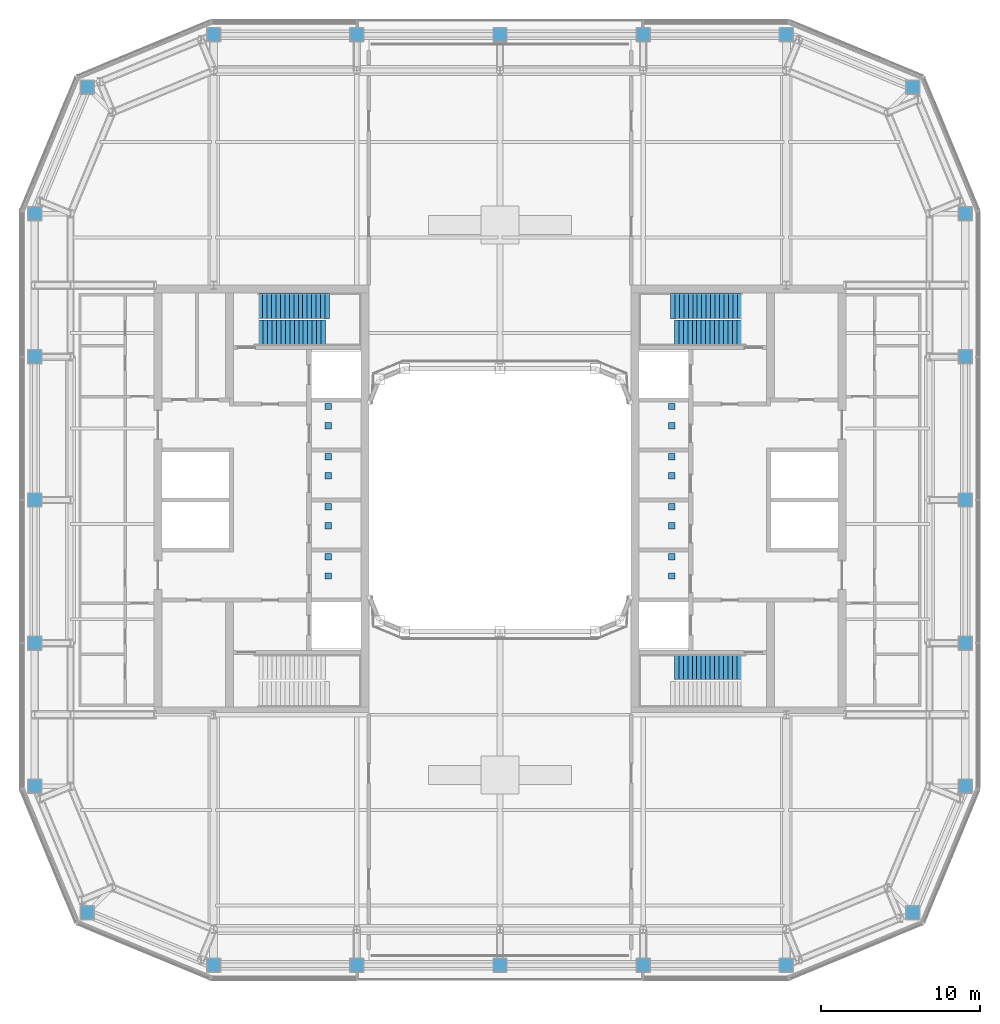
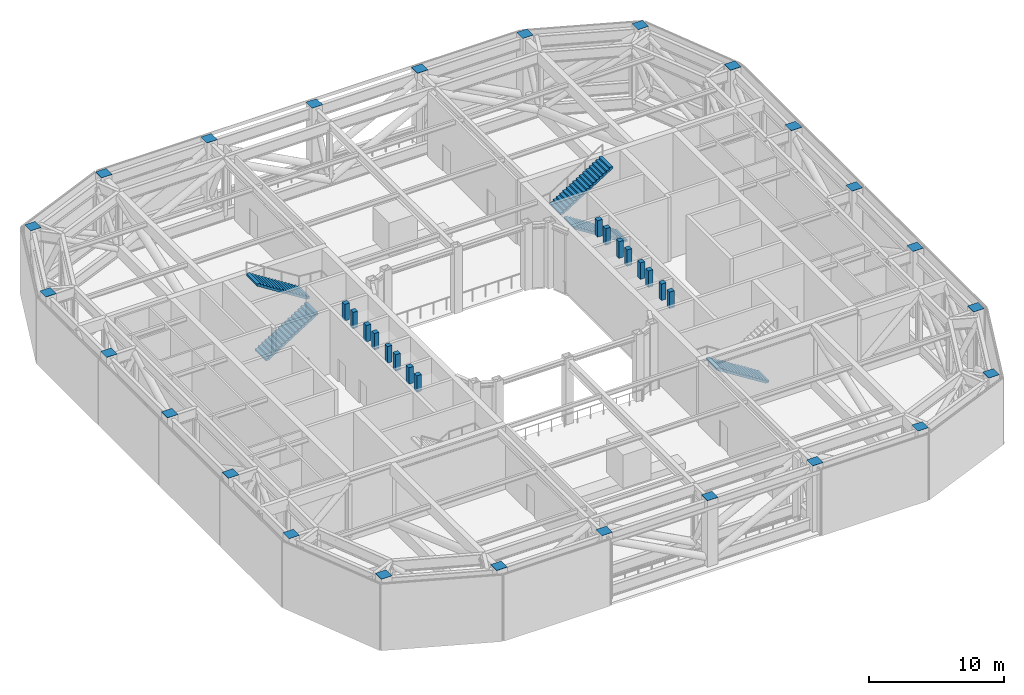
# One storey, part 14 of 22: 40 discrete accessories, 5 stair flights, 3 elements without a shape of their own.
"""IFC4 building model written with IfcOpenShell, lengths in metres."""

from ifc_helpers import new_model, si_unit, direction, frame, origin, origin_2d, place, context, subcontext, project, spatial, polyline, rectangle, outline, extrude, material, layer, layer_set, type_object, element, aggregate, save


model = new_model("IFC4")

# Units and contexts
model_context = context("Model", 3, precision=1e-05, world=origin(), true_north=direction((0.0, 1.0)))
body_context = subcontext(model_context, "Body", "Model", "MODEL_VIEW")
ifc_project = project(units=[si_unit("LENGTHUNIT", "METRE"), si_unit("AREAUNIT", "SQUARE_METRE"), si_unit("VOLUMEUNIT", "CUBIC_METRE"), si_unit("PLANEANGLEUNIT", "RADIAN"), si_unit("MASSUNIT", "GRAM", prefix="KILO")], contexts=[model_context])

# Site, building, storey
site_placement = place(None, origin())
site = spatial("IfcSite", under=ifc_project, at=site_placement, CompositionType="ELEMENT")
building_placement = place(site_placement, origin())
building = spatial("IfcBuilding", under=site, at=building_placement, Name="Siwar Civic Tower", CompositionType="ELEMENT")
storey_placement = place(building_placement, frame((0.0, 0.0, 181.199951171875)))
storey = spatial("IfcBuildingStorey", under=building, at=storey_placement, Name="L39", CompositionType="ELEMENT", Elevation=181.199951171875)

# Stair, stair flights
ifc_material_1 = material(Name="Concrete C40/50", Category="concrete")
stair_type = type_object("IfcStairType", Name="CORE-STAIR", PredefinedType="TWO_STRAIGHT_RUN_STAIR", material=ifc_material_1)
stair_1_placement = place(storey_placement, origin())
stair_1 = element("IfcStair", 1, at=stair_1_placement, inside=storey, type_object=stair_type, Name="Exit stair ST1", PredefinedType="TWO_STRAIGHT_RUN_STAIR")
ifc_material_2 = material(Name="Concrete C40/50", Category="concrete")
stair_flight_type = type_object("IfcStairFlightType", Name="CORE-STAIR-FLIGHT", PredefinedType="STRAIGHT", material=ifc_material_2)
stair_flight_1_placement = place(storey_placement, frame((-15.449951171875, 10.5, 0.0), z_axis=(0.0, 0.0, 1.0), x_axis=(1.0, 0.0, 0.0)))
stair_flight_1 = element("IfcStairFlight", 2, at=stair_flight_1_placement, type_object=stair_flight_type, Name="ST1 flight 1", NumberOfRisers=17, NumberOfTreads=16, PredefinedType="STRAIGHT", RiserHeight=0.176470588, TreadLength=0.28, context=body_context, shape_type="SweptSolid", body=[
    extrude(outline(polyline([(0.0, 0.0), (0.0, 0.176513671875), (0.280029296875, 0.176513671875), (0.280029296875, 0.35302734375), (0.56005859375, 0.35302734375), (0.56005859375, 0.529296875), (0.840087890625, 0.529296875), (0.840087890625, 0.705810546875), (1.1201171875, 0.705810546875), (1.1201171875, 0.88232421875), (1.39990234375, 0.88232421875), (1.39990234375, 1.058837890625), (1.679931640625, 1.058837890625), (1.679931640625, 1.2353515625), (1.9599609375, 1.2353515625), (1.9599609375, 1.411865234375), (2.239990234375, 1.411865234375), (2.239990234375, 1.588134765625), (2.52001953125, 1.588134765625), (2.52001953125, 1.7646484375), (2.800048828125, 1.7646484375), (2.800048828125, 1.941162109375), (3.080078125, 1.941162109375), (3.080078125, 2.11767578125), (3.360107421875, 2.11767578125), (3.360107421875, 2.294189453125), (3.639892578125, 2.294189453125), (3.639892578125, 2.470703125), (3.919921875, 2.470703125), (3.919921875, 2.64697265625), (4.199951171875, 2.64697265625), (4.199951171875, 2.823486328125), (4.47998046875, 2.823486328125), (4.47998046875, 3.0), (4.47998046875, 2.646240234375), (0.28125, 0.0), (0.0, 0.0)])), frame((0.0, 0.800048828125, 0.0), z_axis=(0.0, -1.0, 0.0), x_axis=(1.0, 0.0, 0.0)), (0.0, 0.0, 1.0), 1.60009765625),
])
stair_flight_2_placement = place(storey_placement, frame((-10.719970703125, 12.199951171875, 3.0), z_axis=(0.0, 0.0, 1.0), x_axis=(-1.0, 0.0, 0.0)))
stair_flight_2 = element("IfcStairFlight", 3, at=stair_flight_2_placement, type_object=stair_flight_type, Name="ST1 flight 2", NumberOfRisers=17, NumberOfTreads=16, PredefinedType="STRAIGHT", RiserHeight=0.176470588, TreadLength=0.28, context=body_context, shape_type="SweptSolid", body=[
    extrude(outline(polyline([(0.0, 0.0), (0.0, 0.176513671875), (0.280029296875, 0.176513671875), (0.280029296875, 0.35302734375), (0.56005859375, 0.35302734375), (0.56005859375, 0.529296875), (0.840087890625, 0.529296875), (0.840087890625, 0.705810546875), (1.1201171875, 0.705810546875), (1.1201171875, 0.88232421875), (1.39990234375, 0.88232421875), (1.39990234375, 1.058837890625), (1.679931640625, 1.058837890625), (1.679931640625, 1.2353515625), (1.9599609375, 1.2353515625), (1.9599609375, 1.411865234375), (2.239990234375, 1.411865234375), (2.239990234375, 1.588134765625), (2.52001953125, 1.588134765625), (2.52001953125, 1.7646484375), (2.800048828125, 1.7646484375), (2.800048828125, 1.941162109375), (3.080078125, 1.941162109375), (3.080078125, 2.11767578125), (3.360107421875, 2.11767578125), (3.360107421875, 2.294189453125), (3.639892578125, 2.294189453125), (3.639892578125, 2.470703125), (3.919921875, 2.470703125), (3.919921875, 2.64697265625), (4.199951171875, 2.64697265625), (4.199951171875, 2.823486328125), (4.47998046875, 2.823486328125), (4.47998046875, 3.0), (4.47998046875, 2.646240234375), (0.28125, 0.0), (0.0, 0.0)])), frame((0.0, 0.800048828125, 0.0), z_axis=(0.0, -1.0, 0.0), x_axis=(1.0, 0.0, 0.0)), (0.0, 0.0, 1.0), 1.60009765625),
])
aggregate(stair_1, [stair_flight_1, stair_flight_2])

stair_2_placement = place(storey_placement, origin())
stair_2 = element("IfcStair", 4, at=stair_2_placement, inside=storey, type_object=stair_type, Name="Exit stair ST3", PredefinedType="TWO_STRAIGHT_RUN_STAIR")
stair_flight_3_placement = place(storey_placement, frame((15.449951171875, 10.5, 0.0), z_axis=(0.0, 0.0, 1.0), x_axis=(-1.0, 0.0, 0.0)))
stair_flight_3 = element("IfcStairFlight", 5, at=stair_flight_3_placement, type_object=stair_flight_type, Name="ST3 flight 1", NumberOfRisers=17, NumberOfTreads=16, PredefinedType="STRAIGHT", RiserHeight=0.176470588, TreadLength=0.28, context=body_context, shape_type="SweptSolid", body=[
    extrude(outline(polyline([(0.0, 0.0), (0.0, 0.176513671875), (0.280029296875, 0.176513671875), (0.280029296875, 0.35302734375), (0.56005859375, 0.35302734375), (0.56005859375, 0.529296875), (0.840087890625, 0.529296875), (0.840087890625, 0.705810546875), (1.1201171875, 0.705810546875), (1.1201171875, 0.88232421875), (1.39990234375, 0.88232421875), (1.39990234375, 1.058837890625), (1.679931640625, 1.058837890625), (1.679931640625, 1.2353515625), (1.9599609375, 1.2353515625), (1.9599609375, 1.411865234375), (2.239990234375, 1.411865234375), (2.239990234375, 1.588134765625), (2.52001953125, 1.588134765625), (2.52001953125, 1.7646484375), (2.800048828125, 1.7646484375), (2.800048828125, 1.941162109375), (3.080078125, 1.941162109375), (3.080078125, 2.11767578125), (3.360107421875, 2.11767578125), (3.360107421875, 2.294189453125), (3.639892578125, 2.294189453125), (3.639892578125, 2.470703125), (3.919921875, 2.470703125), (3.919921875, 2.64697265625), (4.199951171875, 2.64697265625), (4.199951171875, 2.823486328125), (4.47998046875, 2.823486328125), (4.47998046875, 3.0), (4.47998046875, 2.646240234375), (0.28125, 0.0), (0.0, 0.0)])), frame((0.0, 0.800048828125, 0.0), z_axis=(0.0, -1.0, 0.0), x_axis=(1.0, 0.0, 0.0)), (0.0, 0.0, 1.0), 1.60009765625),
])
stair_flight_4_placement = place(storey_placement, frame((10.719970703125, 12.199951171875, 3.0), z_axis=(0.0, 0.0, 1.0), x_axis=(1.0, 0.0, 0.0)))
stair_flight_4 = element("IfcStairFlight", 6, at=stair_flight_4_placement, type_object=stair_flight_type, Name="ST3 flight 2", NumberOfRisers=17, NumberOfTreads=16, PredefinedType="STRAIGHT", RiserHeight=0.176470588, TreadLength=0.28, context=body_context, shape_type="SweptSolid", body=[
    extrude(outline(polyline([(0.0, 0.0), (0.0, 0.176513671875), (0.280029296875, 0.176513671875), (0.280029296875, 0.35302734375), (0.56005859375, 0.35302734375), (0.56005859375, 0.529296875), (0.840087890625, 0.529296875), (0.840087890625, 0.705810546875), (1.1201171875, 0.705810546875), (1.1201171875, 0.88232421875), (1.39990234375, 0.88232421875), (1.39990234375, 1.058837890625), (1.679931640625, 1.058837890625), (1.679931640625, 1.2353515625), (1.9599609375, 1.2353515625), (1.9599609375, 1.411865234375), (2.239990234375, 1.411865234375), (2.239990234375, 1.588134765625), (2.52001953125, 1.588134765625), (2.52001953125, 1.7646484375), (2.800048828125, 1.7646484375), (2.800048828125, 1.941162109375), (3.080078125, 1.941162109375), (3.080078125, 2.11767578125), (3.360107421875, 2.11767578125), (3.360107421875, 2.294189453125), (3.639892578125, 2.294189453125), (3.639892578125, 2.470703125), (3.919921875, 2.470703125), (3.919921875, 2.64697265625), (4.199951171875, 2.64697265625), (4.199951171875, 2.823486328125), (4.47998046875, 2.823486328125), (4.47998046875, 3.0), (4.47998046875, 2.646240234375), (0.28125, 0.0), (0.0, 0.0)])), frame((0.0, 0.800048828125, 0.0), z_axis=(0.0, -1.0, 0.0), x_axis=(1.0, 0.0, 0.0)), (0.0, 0.0, 1.0), 1.60009765625),
])
aggregate(stair_2, [stair_flight_3, stair_flight_4])

# Stair, stair flight
stair_3_placement = place(storey_placement, origin())
stair_3 = element("IfcStair", 7, at=stair_3_placement, inside=storey, type_object=stair_type, Name="Exit stair ST4", PredefinedType="TWO_STRAIGHT_RUN_STAIR")
stair_flight_5_placement = place(storey_placement, frame((15.449951171875, -10.5, 0.0), z_axis=(0.0, 0.0, 1.0), x_axis=(-1.0, 0.0, 0.0)))
stair_flight_5 = element("IfcStairFlight", 8, at=stair_flight_5_placement, type_object=stair_flight_type, Name="ST4 flight 1", NumberOfRisers=17, NumberOfTreads=16, PredefinedType="STRAIGHT", RiserHeight=0.176470588, TreadLength=0.28, context=body_context, shape_type="SweptSolid", body=[
    extrude(outline(polyline([(0.0, 0.0), (0.0, 0.176513671875), (0.280029296875, 0.176513671875), (0.280029296875, 0.35302734375), (0.56005859375, 0.35302734375), (0.56005859375, 0.529296875), (0.840087890625, 0.529296875), (0.840087890625, 0.705810546875), (1.1201171875, 0.705810546875), (1.1201171875, 0.88232421875), (1.39990234375, 0.88232421875), (1.39990234375, 1.058837890625), (1.679931640625, 1.058837890625), (1.679931640625, 1.2353515625), (1.9599609375, 1.2353515625), (1.9599609375, 1.411865234375), (2.239990234375, 1.411865234375), (2.239990234375, 1.588134765625), (2.52001953125, 1.588134765625), (2.52001953125, 1.7646484375), (2.800048828125, 1.7646484375), (2.800048828125, 1.941162109375), (3.080078125, 1.941162109375), (3.080078125, 2.11767578125), (3.360107421875, 2.11767578125), (3.360107421875, 2.294189453125), (3.639892578125, 2.294189453125), (3.639892578125, 2.470703125), (3.919921875, 2.470703125), (3.919921875, 2.64697265625), (4.199951171875, 2.64697265625), (4.199951171875, 2.823486328125), (4.47998046875, 2.823486328125), (4.47998046875, 3.0), (4.47998046875, 2.646240234375), (0.28125, 0.0), (0.0, 0.0)])), frame((0.0, 0.800048828125, 0.0), z_axis=(0.0, -1.0, 0.0), x_axis=(1.0, 0.0, 0.0)), (0.0, 0.0, 1.0), 1.60009765625),
])
aggregate(stair_3, [stair_flight_5])

# Discrete accessories
ifc_material_3 = material(Name="Steel S355", Category="steel")
discrete_accessory_type_1 = type_object("IfcDiscreteAccessoryType", Name="CORE-LIFT-BUFFER", PredefinedType="BRACKET", material=ifc_material_3)
for number, where, z_axis, x_axis, name in (
    (9, (-10.800048828125, -4.77490234375, 4.5), (0.0, 0.0, 1.0), (1.0, 0.0, 0.0), "Lift buffer HR1"),
    (10, (-10.800048828125, -3.574951171875, 4.5), (0.0, 0.0, 1.0), (1.0, 0.0, 0.0), "Lift buffer HR1"),
    (11, (-10.800048828125, -1.625, 4.5), (0.0, 0.0, 1.0), (1.0, 0.0, 0.0), "Lift buffer HR2"),
    (12, (-10.800048828125, -0.425048828125, 4.5), (0.0, 0.0, 1.0), (1.0, 0.0, 0.0), "Lift buffer HR2"),
    (13, (-10.800048828125, 1.52490234375, 4.5), (0.0, 0.0, 1.0), (1.0, 0.0, 0.0), "Lift buffer HR3"),
    (14, (-10.800048828125, 2.72509765625, 4.5), (0.0, 0.0, 1.0), (1.0, 0.0, 0.0), "Lift buffer HR3"),
    (15, (-10.800048828125, 4.675048828125, 4.5), (0.0, 0.0, 1.0), (1.0, 0.0, 0.0), "Lift buffer HR4"),
    (16, (-10.800048828125, 5.875, 4.5), (0.0, 0.0, 1.0), (1.0, 0.0, 0.0), "Lift buffer HR4"),
    (17, (10.800048828125, -4.77490234375, 4.5), (0.0, 0.0, 1.0), (1.0, 0.0, 0.0), "Lift buffer HR5"),
    (18, (10.800048828125, -3.574951171875, 4.5), (0.0, 0.0, 1.0), (1.0, 0.0, 0.0), "Lift buffer HR5"),
    (19, (10.800048828125, -1.625, 4.5), (0.0, 0.0, 1.0), (1.0, 0.0, 0.0), "Lift buffer HR6"),
    (20, (10.800048828125, -0.425048828125, 4.5), (0.0, 0.0, 1.0), (1.0, 0.0, 0.0), "Lift buffer HR6"),
    (21, (10.800048828125, 1.52490234375, 4.5), (0.0, 0.0, 1.0), (1.0, 0.0, 0.0), "Lift buffer HR7"),
    (22, (10.800048828125, 2.72509765625, 4.5), (0.0, 0.0, 1.0), (1.0, 0.0, 0.0), "Lift buffer HR7"),
    (23, (10.800048828125, 4.675048828125, 4.5), (0.0, 0.0, 1.0), (1.0, 0.0, 0.0), "Lift buffer HR8"),
    (24, (10.800048828125, 5.875, 4.5), (0.0, 0.0, 1.0), (1.0, 0.0, 0.0), "Lift buffer HR8"),
):
    element("IfcDiscreteAccessory", number, at=place(storey_placement, frame(where, z_axis=z_axis, x_axis=x_axis)), inside=storey, type_object=discrete_accessory_type_1, Name=name, PredefinedType="BRACKET", context=body_context, shape_type="SweptSolid", body=[
        extrude(rectangle(XDim=0.39990234375, YDim=0.39990234375, at=origin_2d()), origin(), (0.0, 0.0, 1.0), 1.5),
    ])
ifc_material_4 = material(Name="Steel S355", Category="steel")
ifc_layer = layer(ifc_material_4, 0.02001953125)
ifc_layer_set = layer_set([ifc_layer], Name="Steel S355")
discrete_accessory_type_2 = type_object("IfcDiscreteAccessoryType", Name="STR-END-CAP", PredefinedType="USERDEFINED", material=ifc_layer_set)
for number, where, z_axis, x_axis, name in (
    (25, (-18.0, -29.25, 6.0), (0.0, 0.0, 1.0), (1.0, 0.0, 0.0), "End cap plate L39 col S-0"),
    (26, (-9.0, -29.25, 6.0), (0.0, 0.0, 1.0), (1.0, 0.0, 0.0), "End cap plate L39 col S-1"),
    (27, (0.0, -29.25, 6.0), (0.0, 0.0, 1.0), (1.0, 0.0, 0.0), "End cap plate L39 col S-2"),
    (28, (9.0, -29.25, 6.0), (0.0, 0.0, 1.0), (1.0, 0.0, 0.0), "End cap plate L39 col S-3"),
    (29, (18.0, -29.25, 6.0), (0.0, 0.0, 1.0), (1.0, 0.0, 0.0), "End cap plate L39 col SE1-0"),
    (30, (25.954833984375, -25.954833984375, 6.0), (0.0, 0.0, 1.0), (1.0, 0.0, 0.0), "End cap plate L39 col SE2-0"),
    (31, (29.25, -18.0, 6.0), (0.0, 0.0, 1.0), (1.0, 0.0, 0.0), "End cap plate L39 col E-0"),
    (32, (29.25, -9.0, 6.0), (0.0, 0.0, 1.0), (1.0, 0.0, 0.0), "End cap plate L39 col E-1"),
    (33, (29.25, 0.0, 6.0), (0.0, 0.0, 1.0), (1.0, 0.0, 0.0), "End cap plate L39 col E-2"),
    (34, (29.25, 9.0, 6.0), (0.0, 0.0, 1.0), (1.0, 0.0, 0.0), "End cap plate L39 col E-3"),
    (35, (29.25, 18.0, 6.0), (0.0, 0.0, 1.0), (1.0, 0.0, 0.0), "End cap plate L39 col NE1-0"),
    (36, (25.954833984375, 25.954833984375, 6.0), (0.0, 0.0, 1.0), (1.0, 0.0, 0.0), "End cap plate L39 col NE2-0"),
    (37, (18.0, 29.25, 6.0), (0.0, 0.0, 1.0), (1.0, 0.0, 0.0), "End cap plate L39 col N-0"),
    (38, (9.0, 29.25, 6.0), (0.0, 0.0, 1.0), (1.0, 0.0, 0.0), "End cap plate L39 col N-1"),
    (39, (0.0, 29.25, 6.0), (0.0, 0.0, 1.0), (1.0, 0.0, 0.0), "End cap plate L39 col N-2"),
    (40, (-9.0, 29.25, 6.0), (0.0, 0.0, 1.0), (1.0, 0.0, 0.0), "End cap plate L39 col N-3"),
    (41, (-18.0, 29.25, 6.0), (0.0, 0.0, 1.0), (1.0, 0.0, 0.0), "End cap plate L39 col NW1-0"),
    (42, (-25.954833984375, 25.954833984375, 6.0), (0.0, 0.0, 1.0), (1.0, 0.0, 0.0), "End cap plate L39 col NW2-0"),
    (43, (-29.25, 18.0, 6.0), (0.0, 0.0, 1.0), (1.0, 0.0, 0.0), "End cap plate L39 col W-0"),
    (44, (-29.25, 9.0, 6.0), (0.0, 0.0, 1.0), (1.0, 0.0, 0.0), "End cap plate L39 col W-1"),
    (45, (-29.25, 0.0, 6.0), (0.0, 0.0, 1.0), (1.0, 0.0, 0.0), "End cap plate L39 col W-2"),
    (46, (-29.25, -9.0, 6.0), (0.0, 0.0, 1.0), (1.0, 0.0, 0.0), "End cap plate L39 col W-3"),
    (47, (-29.25, -18.0, 6.0), (0.0, 0.0, 1.0), (1.0, 0.0, 0.0), "End cap plate L39 col SW1-0"),
    (48, (-25.954833984375, -25.954833984375, 6.0), (0.0, 0.0, 1.0), (1.0, 0.0, 0.0), "End cap plate L39 col SW2-0"),
):
    element("IfcDiscreteAccessory", number, at=place(storey_placement, frame(where, z_axis=z_axis, x_axis=x_axis)), inside=storey, type_object=discrete_accessory_type_2, Name=name, ObjectType="END CAP PLATE", PredefinedType="USERDEFINED", context=body_context, shape_type="SweptSolid", body=[
        extrude(rectangle(XDim=0.89990234375, YDim=0.89990234375, at=origin_2d()), origin(), (0.0, 0.0, 1.0), 0.02001953125),
    ])

save(model, "model.ifc")
